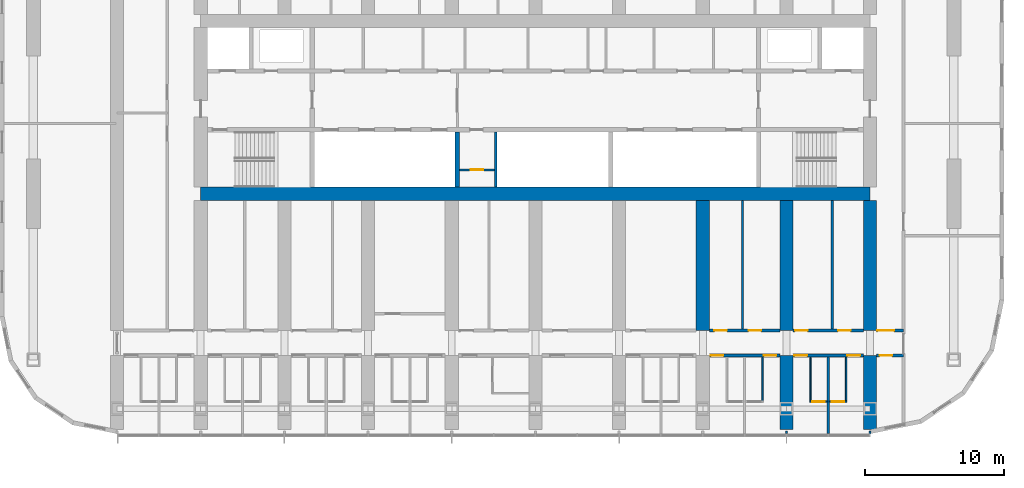
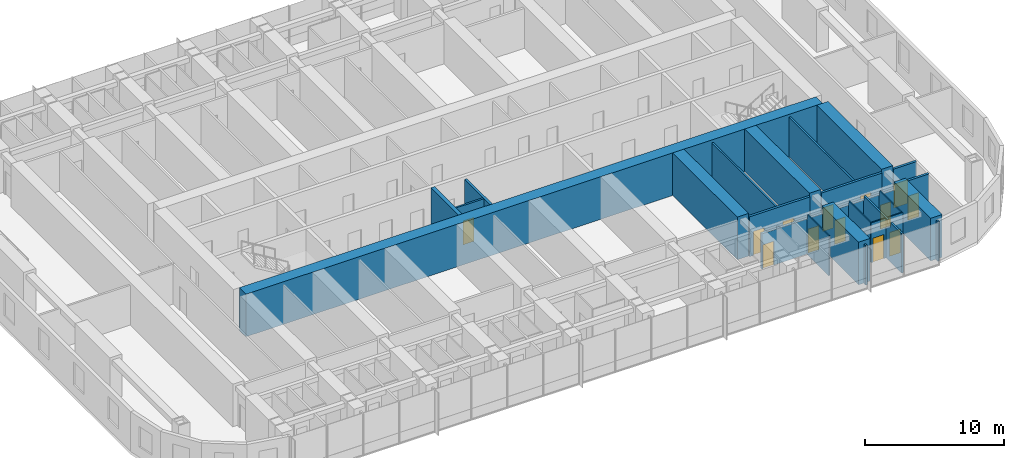
# One storey, part 11 of 22: 25 walls, 13 doors, 13 openings.
"""IFC4 building model written with IfcOpenShell, lengths in metres."""

from ifc_helpers import new_model, si_unit, direction, frame, frame_2d, origin, place, context, subcontext, project, spatial, polyline, rectangle, outline, extrude, material, layer, layer_set, type_object, element, fill, save


model = new_model("IFC4")

# Units and contexts
model_context = context("Model", 3, precision=1e-05, world=origin(), true_north=direction((0.0, 1.0)))
body_context = subcontext(model_context, "Body", "Model", "MODEL_VIEW")
ifc_project = project(units=[si_unit("LENGTHUNIT", "METRE"), si_unit("AREAUNIT", "SQUARE_METRE"), si_unit("VOLUMEUNIT", "CUBIC_METRE"), si_unit("PLANEANGLEUNIT", "RADIAN"), si_unit("MASSUNIT", "GRAM", prefix="KILO")], contexts=[model_context])

# Site, building, storey
site_placement = place(None, origin())
site = spatial("IfcSite", under=ifc_project, at=site_placement, CompositionType="ELEMENT")
building_placement = place(site_placement, origin())
building = spatial("IfcBuilding", under=site, at=building_placement, Name="Orbita Commons", CompositionType="ELEMENT")
storey_placement = place(building_placement, frame((0.0, 0.0, 118.14990234375)))
storey = spatial("IfcBuildingStorey", under=building, at=storey_placement, Name="L29", CompositionType="ELEMENT", Elevation=118.14990234375)

# Wall
ifc_material_1 = material(Name="Concrete C50/60", Category="concrete")
ifc_layer_1 = layer(ifc_material_1, 0.300048828125)
ifc_layer_set_1 = layer_set([ifc_layer_1], Name="Concrete C50/60")
wall_type_1 = type_object("IfcWallType", Name="Core inner wall 300 C50/60", PredefinedType="SHEAR", material=ifc_layer_set_1)
wall_1_placement = place(storey_placement, frame((36.39990234375, 26.27490234375, 0.0), z_axis=(0.0, 0.0, 1.0), x_axis=(0.0, 1.0, 0.0)))
element("IfcWall", 1, at=wall_1_placement, inside=storey, type_object=wall_type_1, Name="Hoistway division wall L29", PredefinedType="SHEAR", context=body_context, shape_type="SweptSolid", body=[
    extrude(rectangle(XDim=3.97509765625, YDim=0.300048828125, at=frame_2d((1.987548828125, 0.0))), origin(), (0.0, 0.0, 1.0), 3.75),
])

# Wall, opening, door
ifc_material_2 = material(Name="Concrete blockwork", Category="masonry")
ifc_layer_2 = layer(ifc_material_2, 0.14990234375)
ifc_layer_set_2 = layer_set([ifc_layer_2], Name="Concrete blockwork")
wall_type_2 = type_object("IfcWallType", Name="Core partition 150 blockwork", PredefinedType="SOLIDWALL", material=ifc_layer_set_2)
wall_2_placement = place(storey_placement, frame((36.550048828125, 27.52490234375, 0.0), z_axis=(0.0, 0.0, 1.0), x_axis=(1.0, 0.0, 0.0)))
wall_2 = element("IfcWall", 2, at=wall_2_placement, inside=storey, type_object=wall_type_2, Name="Core partition 150 blockwork L29", PredefinedType="SOLIDWALL", context=body_context, shape_type="SweptSolid", body=[
    extrude(rectangle(XDim=2.5, YDim=0.14990234375, at=frame_2d((1.25, 0.0))), origin(), (0.0, 0.0, 1.0), 3.5),
])
opening_1_placement = place(wall_2_placement, frame((0.800048828125, 0.0, 0.0)))
opening_1 = element("IfcOpeningElement", 3, at=opening_1_placement, cuts=wall_2, Name="Opening D05", PredefinedType="OPENING", context=body_context, shape_type="SweptSolid", body=[
    extrude(rectangle(XDim=0.89990234375, YDim=2.10009765625, at=frame_2d((0.449951171875, 1.050048828125))), frame((0.0, 0.0849609375, 0.0), z_axis=(0.0, -1.0, 0.0), x_axis=(1.0, 0.0, 0.0)), (0.0, 0.0, 1.0), 0.169921875),
])
ifc_material_3 = material(Name="Steel-faced fire door leaf", Category="steel")
door_type_1 = type_object("IfcDoorType", Name="Service door 20 min 900x2100", OperationType="SINGLE_SWING_LEFT", PredefinedType="DOOR", material=ifc_material_3)
door_1_placement = place(opening_1_placement, origin())
door_1 = element("IfcDoor", 4, at=door_1_placement, inside=storey, type_object=door_type_1, Name="Cupboard door off Equipment store", OperationType="SINGLE_SWING_LEFT", OverallHeight=2.10009765625, OverallWidth=0.89990234375, PredefinedType="DOOR", context=body_context, shape_type="SweptSolid", body=[
    extrude(rectangle(XDim=0.89990234375, YDim=2.10009765625, at=frame_2d((0.449951171875, 1.050048828125))), frame((0.0, 0.02490234375, 0.0), z_axis=(0.0, -1.0, 0.0), x_axis=(1.0, 0.0, 0.0)), (0.0, 0.0, 1.0), 0.050048828125),
])
fill(opening_1, door_1)

# Wall
ifc_material_4 = material(Name="Concrete C50/60", Category="concrete")
ifc_layer_3 = layer(ifc_material_4, 0.949951171875)
ifc_layer_set_3 = layer_set([ifc_layer_3], Name="Concrete C50/60")
wall_type_3 = type_object("IfcWallType", Name="Core wall 950 C50/60", PredefinedType="SHEAR", material=ifc_layer_set_3)
wall_3_placement = place(storey_placement, frame((18.0, 25.800048828125, 0.0), z_axis=(0.0, 0.0, 1.0), x_axis=(1.0, 0.0, 0.0)))
element("IfcWall", 5, at=wall_3_placement, inside=storey, type_object=wall_type_3, Name="Core spine wall south L29", PredefinedType="SHEAR", context=body_context, shape_type="SweptSolid", body=[
    extrude(rectangle(XDim=48.0, YDim=0.949951171875, at=frame_2d((24.0, 0.0))), origin(), (0.0, 0.0, 1.0), 3.75),
])

# Wall, openings, doors
ifc_material_5 = material(Name="Concrete blockwork", Category="masonry")
ifc_layer_4 = layer(ifc_material_5, 0.199951171875)
ifc_layer_set_4 = layer_set([ifc_layer_4], Name="Concrete blockwork")
wall_type_4 = type_object("IfcWallType", Name="Corridor wall 200 blockwork", PredefinedType="SOLIDWALL", material=ifc_layer_set_4)
wall_4_placement = place(storey_placement, frame((54.47509765625, 14.199951171875, 0.0), z_axis=(0.0, 0.0, 1.0), x_axis=(1.0, 0.0, 0.0)))
wall_4 = element("IfcWall", 6, at=wall_4_placement, inside=storey, type_object=wall_type_4, Name="Corridor wall 200 blockwork L29", PredefinedType="SOLIDWALL", context=body_context, shape_type="SweptSolid", body=[
    extrude(outline(polyline([(0.0, 0.0), (5.0498046875, 0.0), (5.050048828125, 3.10009765625), (0.0, 3.10009765625), (0.0, 0.0)])), frame((0.0, 0.10009765625, 0.0), z_axis=(0.0, -1.0, 0.0), x_axis=(1.0, 0.0, 0.0)), (0.0, 0.0, 1.0), 0.199951171875),
])
opening_2_placement = place(wall_4_placement, frame((0.10009765625, 0.0, 0.0)))
opening_2 = element("IfcOpeningElement", 7, at=opening_2_placement, cuts=wall_4, Name="Opening D11", PredefinedType="OPENING", context=body_context, shape_type="SweptSolid", body=[
    extrude(rectangle(XDim=0.89990234375, YDim=2.10009765625, at=frame_2d((0.449951171875, 1.050048828125))), frame((0.0, 0.10986328125, 0.0), z_axis=(0.0, -1.0, 0.0), x_axis=(1.0, 0.0, 0.0)), (0.0, 0.0, 1.0), 0.219970703125),
])
opening_3_placement = place(wall_4_placement, frame((3.89990234375, 0.0, 0.0)))
opening_3 = element("IfcOpeningElement", 8, at=opening_3_placement, cuts=wall_4, Name="Opening D11", PredefinedType="OPENING", context=body_context, shape_type="SweptSolid", body=[
    extrude(rectangle(XDim=0.89990234375, YDim=2.10009765625, at=frame_2d((0.449951171875, 1.050048828125))), frame((0.0, 0.10986328125, 0.0), z_axis=(0.0, -1.0, 0.0), x_axis=(1.0, 0.0, 0.0)), (0.0, 0.0, 1.0), 0.219970703125),
])
ifc_material_6 = material(Name="Steel-faced fire door leaf", Category="steel")
door_type_2 = type_object("IfcDoorType", Name="Corridor door 20 min 900x2100", OperationType="SINGLE_SWING_LEFT", PredefinedType="DOOR", material=ifc_material_6)
door_2_placement = place(opening_2_placement, origin())
door_2 = element("IfcDoor", 9, at=door_2_placement, inside=storey, type_object=door_type_2, Name="Cluster bedroom L29-S14 door", OperationType="SINGLE_SWING_LEFT", OverallHeight=2.10009765625, OverallWidth=0.89990234375, PredefinedType="DOOR", context=body_context, shape_type="SweptSolid", body=[
    extrude(rectangle(XDim=0.89990234375, YDim=2.10009765625, at=frame_2d((0.449951171875, 1.050048828125))), frame((0.0, 0.02490234375, 0.0), z_axis=(0.0, -1.0, 0.0), x_axis=(1.0, 0.0, 0.0)), (0.0, 0.0, 1.0), 0.050048828125),
])
fill(opening_2, door_2)
door_3_placement = place(opening_3_placement, origin())
door_3 = element("IfcDoor", 10, at=door_3_placement, inside=storey, type_object=door_type_2, Name="Cluster bedroom L29-S15 door", OperationType="SINGLE_SWING_LEFT", OverallHeight=2.10009765625, OverallWidth=0.89990234375, PredefinedType="DOOR", context=body_context, shape_type="SweptSolid", body=[
    extrude(rectangle(XDim=0.89990234375, YDim=2.10009765625, at=frame_2d((0.449951171875, 1.050048828125))), frame((0.0, 0.02490234375, 0.0), z_axis=(0.0, -1.0, 0.0), x_axis=(1.0, 0.0, 0.0)), (0.0, 0.0, 1.0), 0.050048828125),
])
fill(opening_3, door_3)

wall_5_placement = place(storey_placement, frame((60.47509765625, 14.199951171875, 0.0), z_axis=(0.0, 0.0, 1.0), x_axis=(1.0, 0.0, 0.0)))
wall_5 = element("IfcWall", 11, at=wall_5_placement, inside=storey, type_object=wall_type_4, Name="Corridor wall 200 blockwork L29", PredefinedType="SOLIDWALL", context=body_context, shape_type="SweptSolid", body=[
    extrude(outline(polyline([(0.0, 0.0), (5.0498046875, 0.0), (5.050048828125, 3.10009765625), (0.0, 3.10009765625), (0.0, 0.0)])), frame((0.0, 0.10009765625, 0.0), z_axis=(0.0, -1.0, 0.0), x_axis=(1.0, 0.0, 0.0)), (0.0, 0.0, 1.0), 0.199951171875),
])
opening_4_placement = place(wall_5_placement, frame((0.10009765625, 0.0, 0.0)))
opening_4 = element("IfcOpeningElement", 12, at=opening_4_placement, cuts=wall_5, Name="Opening D11", PredefinedType="OPENING", context=body_context, shape_type="SweptSolid", body=[
    extrude(rectangle(XDim=0.89990234375, YDim=2.10009765625, at=frame_2d((0.449951171875, 1.050048828125))), frame((0.0, 0.10986328125, 0.0), z_axis=(0.0, -1.0, 0.0), x_axis=(1.0, 0.0, 0.0)), (0.0, 0.0, 1.0), 0.219970703125),
])
opening_5_placement = place(wall_5_placement, frame((3.89990234375, 0.0, 0.0)))
opening_5 = element("IfcOpeningElement", 13, at=opening_5_placement, cuts=wall_5, Name="Opening D11", PredefinedType="OPENING", context=body_context, shape_type="SweptSolid", body=[
    extrude(rectangle(XDim=0.89990234375, YDim=2.10009765625, at=frame_2d((0.449951171875, 1.050048828125))), frame((0.0, 0.10986328125, 0.0), z_axis=(0.0, -1.0, 0.0), x_axis=(1.0, 0.0, 0.0)), (0.0, 0.0, 1.0), 0.219970703125),
])
door_4_placement = place(opening_4_placement, origin())
door_4 = element("IfcDoor", 14, at=door_4_placement, inside=storey, type_object=door_type_2, Name="Cluster bedroom L29-S16 door", OperationType="SINGLE_SWING_LEFT", OverallHeight=2.10009765625, OverallWidth=0.89990234375, PredefinedType="DOOR", context=body_context, shape_type="SweptSolid", body=[
    extrude(rectangle(XDim=0.89990234375, YDim=2.10009765625, at=frame_2d((0.449951171875, 1.050048828125))), frame((0.0, 0.02490234375, 0.0), z_axis=(0.0, -1.0, 0.0), x_axis=(1.0, 0.0, 0.0)), (0.0, 0.0, 1.0), 0.050048828125),
])
fill(opening_4, door_4)
door_5_placement = place(opening_5_placement, origin())
door_5 = element("IfcDoor", 15, at=door_5_placement, inside=storey, type_object=door_type_2, Name="Cluster bedroom L29-S17 door", OperationType="SINGLE_SWING_LEFT", OverallHeight=2.10009765625, OverallWidth=0.89990234375, PredefinedType="DOOR", context=body_context, shape_type="SweptSolid", body=[
    extrude(rectangle(XDim=0.89990234375, YDim=2.10009765625, at=frame_2d((0.449951171875, 1.050048828125))), frame((0.0, 0.02490234375, 0.0), z_axis=(0.0, -1.0, 0.0), x_axis=(1.0, 0.0, 0.0)), (0.0, 0.0, 1.0), 0.050048828125),
])
fill(opening_5, door_5)

# Wall, opening, door
wall_6_placement = place(storey_placement, frame((66.47509765625, 14.199951171875, 0.0), z_axis=(0.0, 0.0, 1.0), x_axis=(1.0, 0.0, 0.0)))
wall_6 = element("IfcWall", 16, at=wall_6_placement, inside=storey, type_object=wall_type_4, Name="Corridor wall 200 blockwork L29", PredefinedType="SOLIDWALL", context=body_context, shape_type="SweptSolid", body=[
    extrude(rectangle(XDim=1.9248046875, YDim=0.199951171875, at=frame_2d((0.96240234375, 0.0))), origin(), (0.0, 0.0, 1.0), 3.5),
])
opening_6_placement = place(wall_6_placement, frame((0.199951171875, 0.0, 0.0)))
opening_6 = element("IfcOpeningElement", 17, at=opening_6_placement, cuts=wall_6, Name="Opening D05", PredefinedType="OPENING", context=body_context, shape_type="SweptSolid", body=[
    extrude(rectangle(XDim=0.89990234375, YDim=2.10009765625, at=frame_2d((0.449951171875, 1.050048828125))), frame((0.0, 0.10986328125, 0.0), z_axis=(0.0, -1.0, 0.0), x_axis=(1.0, 0.0, 0.0)), (0.0, 0.0, 1.0), 0.219970703125),
])
door_6_placement = place(opening_6_placement, origin())
door_6 = element("IfcDoor", 18, at=door_6_placement, inside=storey, type_object=door_type_1, Name="Linen store L29-KES door", OperationType="SINGLE_SWING_LEFT", OverallHeight=2.10009765625, OverallWidth=0.89990234375, PredefinedType="DOOR", context=body_context, shape_type="SweptSolid", body=[
    extrude(rectangle(XDim=0.89990234375, YDim=2.10009765625, at=frame_2d((0.449951171875, 1.050048828125))), frame((0.0, 0.02490234375, 0.0), z_axis=(0.0, -1.0, 0.0), x_axis=(1.0, 0.0, 0.0)), (0.0, 0.0, 1.0), 0.050048828125),
])
fill(opening_6, door_6)

# Wall, openings, doors
ifc_material_7 = material(Name="Hollow concrete block 200", Category="concrete")
ifc_layer_5 = layer(ifc_material_7, 0.199951171875)
ifc_layer_set_5 = layer_set([ifc_layer_5], Name="Hollow concrete block 200")
wall_type_5 = type_object("IfcWallType", Name="Corridor wall 200 hollow concrete block", PredefinedType="SOLIDWALL", material=ifc_layer_set_5)
wall_7_placement = place(storey_placement, frame((54.47509765625, 16.0, 0.0), z_axis=(0.0, 0.0, 1.0), x_axis=(1.0, 0.0, 0.0)))
wall_7 = element("IfcWall", 19, at=wall_7_placement, inside=storey, type_object=wall_type_5, Name="Corridor wall 200 hollow concrete block L29", PredefinedType="SOLIDWALL", context=body_context, shape_type="SweptSolid", body=[
    extrude(rectangle(XDim=5.0498046875, YDim=0.199951171875, at=frame_2d((2.52490234375, 0.0))), origin(), (0.0, 0.0, 1.0), 3.5),
])
opening_7_placement = place(wall_7_placement, frame((0.35009765625, 0.0, 0.0)))
opening_7 = element("IfcOpeningElement", 20, at=opening_7_placement, cuts=wall_7, Name="Opening D11", PredefinedType="OPENING", context=body_context, shape_type="SweptSolid", body=[
    extrude(rectangle(XDim=0.89990234375, YDim=2.10009765625, at=frame_2d((0.449951171875, 1.050048828125))), frame((0.0, 0.10986328125, 0.0), z_axis=(0.0, -1.0, 0.0), x_axis=(1.0, 0.0, 0.0)), (0.0, 0.0, 1.0), 0.219970703125),
])
opening_8_placement = place(wall_7_placement, frame((2.804931640625, 0.0, 0.0)))
opening_8 = element("IfcOpeningElement", 21, at=opening_8_placement, cuts=wall_7, Name="Opening D11", PredefinedType="OPENING", context=body_context, shape_type="SweptSolid", body=[
    extrude(rectangle(XDim=0.89990234375, YDim=2.10009765625, at=frame_2d((0.449951171875, 1.050048828125))), frame((0.0, 0.10986328125, 0.0), z_axis=(0.0, -1.0, 0.0), x_axis=(1.0, 0.0, 0.0)), (0.0, 0.0, 1.0), 0.219970703125),
])
door_7_placement = place(opening_7_placement, origin())
door_7 = element("IfcDoor", 22, at=door_7_placement, inside=storey, type_object=door_type_2, Name="Sprinkler valve room L29-BDS54n door", OperationType="SINGLE_SWING_LEFT", OverallHeight=2.10009765625, OverallWidth=0.89990234375, PredefinedType="DOOR", context=body_context, shape_type="SweptSolid", body=[
    extrude(rectangle(XDim=0.89990234375, YDim=2.10009765625, at=frame_2d((0.449951171875, 1.050048828125))), frame((0.0, 0.02490234375, 0.0), z_axis=(0.0, -1.0, 0.0), x_axis=(1.0, 0.0, 0.0)), (0.0, 0.0, 1.0), 0.050048828125),
])
fill(opening_7, door_7)
door_8_placement = place(opening_8_placement, origin())
door_8 = element("IfcDoor", 23, at=door_8_placement, inside=storey, type_object=door_type_2, Name="Ventilation plant room south L29-BDS54 door", OperationType="SINGLE_SWING_LEFT", OverallHeight=2.10009765625, OverallWidth=0.89990234375, PredefinedType="DOOR", context=body_context, shape_type="SweptSolid", body=[
    extrude(rectangle(XDim=0.89990234375, YDim=2.10009765625, at=frame_2d((0.449951171875, 1.050048828125))), frame((0.0, 0.02490234375, 0.0), z_axis=(0.0, -1.0, 0.0), x_axis=(1.0, 0.0, 0.0)), (0.0, 0.0, 1.0), 0.050048828125),
])
fill(opening_8, door_8)

wall_8_placement = place(storey_placement, frame((60.47509765625, 16.0, 0.0), z_axis=(0.0, 0.0, 1.0), x_axis=(1.0, 0.0, 0.0)))
wall_8 = element("IfcWall", 24, at=wall_8_placement, inside=storey, type_object=wall_type_5, Name="Corridor wall 200 hollow concrete block L29", PredefinedType="SOLIDWALL", context=body_context, shape_type="SweptSolid", body=[
    extrude(rectangle(XDim=5.0498046875, YDim=0.199951171875, at=frame_2d((2.52490234375, 0.0))), origin(), (0.0, 0.0, 1.0), 3.5),
])
opening_9_placement = place(wall_8_placement, frame((0.14990234375, 0.0, 0.0)))
opening_9 = element("IfcOpeningElement", 25, at=opening_9_placement, cuts=wall_8, Name="Opening D11", PredefinedType="OPENING", context=body_context, shape_type="SweptSolid", body=[
    extrude(rectangle(XDim=0.89990234375, YDim=2.10009765625, at=frame_2d((0.449951171875, 1.050048828125))), frame((0.0, 0.10986328125, 0.0), z_axis=(0.0, -1.0, 0.0), x_axis=(1.0, 0.0, 0.0)), (0.0, 0.0, 1.0), 0.219970703125),
])
opening_10_placement = place(wall_8_placement, frame((3.235107421875, 0.0, 0.0)))
opening_10 = element("IfcOpeningElement", 26, at=opening_10_placement, cuts=wall_8, Name="Opening D11", PredefinedType="OPENING", context=body_context, shape_type="SweptSolid", body=[
    extrude(rectangle(XDim=0.89990234375, YDim=2.10009765625, at=frame_2d((0.449951171875, 1.050048828125))), frame((0.0, 0.10986328125, 0.0), z_axis=(0.0, -1.0, 0.0), x_axis=(1.0, 0.0, 0.0)), (0.0, 0.0, 1.0), 0.219970703125),
])
door_9_placement = place(opening_9_placement, origin())
door_9 = element("IfcDoor", 27, at=door_9_placement, inside=storey, type_object=door_type_2, Name="Cluster pantry L29-BDS60 door", OperationType="SINGLE_SWING_LEFT", OverallHeight=2.10009765625, OverallWidth=0.89990234375, PredefinedType="DOOR", context=body_context, shape_type="SweptSolid", body=[
    extrude(rectangle(XDim=0.89990234375, YDim=2.10009765625, at=frame_2d((0.449951171875, 1.050048828125))), frame((0.0, 0.02490234375, 0.0), z_axis=(0.0, -1.0, 0.0), x_axis=(1.0, 0.0, 0.0)), (0.0, 0.0, 1.0), 0.050048828125),
])
fill(opening_9, door_9)
door_10_placement = place(opening_10_placement, origin())
door_10 = element("IfcDoor", 28, at=door_10_placement, inside=storey, type_object=door_type_2, Name="Water heater cupboard L29-BDS60n door", OperationType="SINGLE_SWING_LEFT", OverallHeight=2.10009765625, OverallWidth=0.89990234375, PredefinedType="DOOR", context=body_context, shape_type="SweptSolid", body=[
    extrude(rectangle(XDim=0.89990234375, YDim=2.10009765625, at=frame_2d((0.449951171875, 1.050048828125))), frame((0.0, 0.02490234375, 0.0), z_axis=(0.0, -1.0, 0.0), x_axis=(1.0, 0.0, 0.0)), (0.0, 0.0, 1.0), 0.050048828125),
])
fill(opening_10, door_10)

# Wall, opening, door
wall_9_placement = place(storey_placement, frame((66.47509765625, 16.0, 0.0), z_axis=(0.0, 0.0, 1.0), x_axis=(1.0, 0.0, 0.0)))
wall_9 = element("IfcWall", 29, at=wall_9_placement, inside=storey, type_object=wall_type_5, Name="Corridor wall 200 hollow concrete block L29", PredefinedType="SOLIDWALL", context=body_context, shape_type="SweptSolid", body=[
    extrude(rectangle(XDim=1.9248046875, YDim=0.199951171875, at=frame_2d((0.96240234375, 0.0))), origin(), (0.0, 0.0, 1.0), 3.5),
])
opening_11_placement = place(wall_9_placement, frame((0.050048828125, 0.0, 0.0)))
opening_11 = element("IfcOpeningElement", 30, at=opening_11_placement, cuts=wall_9, Name="Opening D12", PredefinedType="OPENING", context=body_context, shape_type="SweptSolid", body=[
    extrude(rectangle(XDim=1.199951171875, YDim=2.10009765625, at=frame_2d((0.60009765625, 1.050048828125))), frame((0.0, 0.10986328125, 0.0), z_axis=(0.0, -1.0, 0.0), x_axis=(1.0, 0.0, 0.0)), (0.0, 0.0, 1.0), 0.219970703125),
])
ifc_material_8 = material(Name="Steel-faced fire door leaf", Category="steel")
door_type_3 = type_object("IfcDoorType", Name="Double corridor door 20 min 1200x2100", OperationType="DOUBLE_DOOR_SINGLE_SWING", PredefinedType="DOOR", material=ifc_material_8)
door_11_placement = place(opening_11_placement, origin())
door_11 = element("IfcDoor", 31, at=door_11_placement, inside=storey, type_object=door_type_3, Name="Cross corridor doors", OperationType="DOUBLE_DOOR_SINGLE_SWING", OverallHeight=2.10009765625, OverallWidth=1.199951171875, PredefinedType="DOOR", context=body_context, shape_type="SweptSolid", body=[
    extrude(rectangle(XDim=1.199951171875, YDim=2.10009765625, at=frame_2d((0.60009765625, 1.050048828125))), frame((0.0, 0.02490234375, 0.0), z_axis=(0.0, -1.0, 0.0), x_axis=(1.0, 0.0, 0.0)), (0.0, 0.0, 1.0), 0.050048828125),
])
fill(opening_11, door_11)

# Walls
ifc_material_9 = material(Name="Concrete C50/60", Category="concrete")
ifc_layer_6 = layer(ifc_material_9, 0.949951171875)
ifc_layer_set_6 = layer_set([ifc_layer_6], Name="Concrete C50/60")
wall_type_6 = type_object("IfcWallType", Name="Cross wall 950 C50/60", PredefinedType="SHEAR", material=ifc_layer_set_6)
wall_10_placement = place(storey_placement, frame((54.0, 16.0, 0.0), z_axis=(0.0, 0.0, 1.0), x_axis=(0.0, 1.0, 0.0)))
element("IfcWall", 32, at=wall_10_placement, inside=storey, type_object=wall_type_6, Name="Cross wall 10 south inner L29", PredefinedType="SHEAR", context=body_context, shape_type="SweptSolid", body=[
    extrude(rectangle(XDim=9.324951171875, YDim=0.949951171875, at=frame_2d((4.66259765625, 0.0))), origin(), (0.0, 0.0, 1.0), 3.75),
])
wall_11_placement = place(storey_placement, frame((60.0, 8.89990234375, 0.0), z_axis=(0.0, 0.0, 1.0), x_axis=(0.0, 1.0, 0.0)))
element("IfcWall", 33, at=wall_11_placement, inside=storey, type_object=wall_type_6, Name="Cross wall 11 south outer L29", PredefinedType="SHEAR", context=body_context, shape_type="SweptSolid", body=[
    extrude(rectangle(XDim=5.300048828125, YDim=0.949951171875, at=frame_2d((2.64990234375, 0.0))), origin(), (0.0, 0.0, 1.0), 3.75),
])
wall_12_placement = place(storey_placement, frame((60.0, 16.0, 0.0), z_axis=(0.0, 0.0, 1.0), x_axis=(0.0, 1.0, 0.0)))
element("IfcWall", 34, at=wall_12_placement, inside=storey, type_object=wall_type_6, Name="Cross wall 11 south inner L29", PredefinedType="SHEAR", context=body_context, shape_type="SweptSolid", body=[
    extrude(rectangle(XDim=9.324951171875, YDim=0.949951171875, at=frame_2d((4.66259765625, 0.0))), origin(), (0.0, 0.0, 1.0), 3.75),
])
wall_13_placement = place(storey_placement, frame((66.0, 8.89990234375, 0.0), z_axis=(0.0, 0.0, 1.0), x_axis=(0.0, 1.0, 0.0)))
element("IfcWall", 35, at=wall_13_placement, inside=storey, type_object=wall_type_6, Name="Cross wall 12 south outer L29", PredefinedType="SHEAR", context=body_context, shape_type="SweptSolid", body=[
    extrude(rectangle(XDim=5.300048828125, YDim=0.949951171875, at=frame_2d((2.64990234375, 0.0))), origin(), (0.0, 0.0, 1.0), 3.75),
])
wall_14_placement = place(storey_placement, frame((66.0, 16.0, 0.0), z_axis=(0.0, 0.0, 1.0), x_axis=(0.0, 1.0, 0.0)))
element("IfcWall", 36, at=wall_14_placement, inside=storey, type_object=wall_type_6, Name="Cross wall 12 south inner L29", PredefinedType="SHEAR", context=body_context, shape_type="SweptSolid", body=[
    extrude(rectangle(XDim=9.324951171875, YDim=0.949951171875, at=frame_2d((4.66259765625, 0.0))), origin(), (0.0, 0.0, 1.0), 3.75),
])
ifc_material_10 = material(Name="Moisture-resistant plasterboard on steel studs", Category="steel")
ifc_layer_7 = layer(ifc_material_10, 0.10009765625)
ifc_layer_set_7 = layer_set([ifc_layer_7], Name="Moisture-resistant plasterboard on steel studs")
wall_type_7 = type_object("IfcWallType", Name="En-suite partition 100", PredefinedType="PARTITIONING", material=ifc_layer_set_7)
wall_15_placement = place(storey_placement, frame((58.27490234375, 10.949951171875, 0.0), z_axis=(0.0, 0.0, 1.0), x_axis=(0.0, 1.0, 0.0)))
element("IfcWall", 37, at=wall_15_placement, inside=storey, type_object=wall_type_7, Name="En-suite partition 100 L29", PredefinedType="PARTITIONING", context=body_context, shape_type="SweptSolid", body=[
    extrude(outline(polyline([(0.0, 0.0), (3.150146484375, 0.0), (3.14990234375, 3.10009765625), (3.10205078125, 3.10009765625), (3.10009765625, 3.5), (0.0, 3.5), (0.0, 0.0)])), frame((0.0, 0.050048828125, 0.0), z_axis=(0.0, -1.0, 0.0), x_axis=(1.0, 0.0, 0.0)), (0.0, 0.0, 1.0), 0.10009765625),
])

# Wall, opening, door
wall_16_placement = place(storey_placement, frame((62.925048828125, 10.89990234375, 0.0), z_axis=(0.0, 0.0, 1.0), x_axis=(-1.0, 0.0, 0.0)))
wall_16 = element("IfcWall", 38, at=wall_16_placement, inside=storey, type_object=wall_type_7, Name="En-suite partition 100 L29", PredefinedType="PARTITIONING", context=body_context, shape_type="SweptSolid", body=[
    extrude(rectangle(XDim=1.25, YDim=0.10009765625, at=frame_2d((0.625, 0.0))), origin(), (0.0, 0.0, 1.0), 3.5),
])
opening_12_placement = place(wall_16_placement, frame((0.175048828125, 0.0, 0.0)))
opening_12 = element("IfcOpeningElement", 39, at=opening_12_placement, cuts=wall_16, Name="Opening D09", PredefinedType="OPENING", context=body_context, shape_type="SweptSolid", body=[
    extrude(rectangle(XDim=0.89990234375, YDim=2.10009765625, at=frame_2d((0.449951171875, 1.050048828125))), frame((0.0, 0.06005859375, 0.0), z_axis=(0.0, -1.0, 0.0), x_axis=(1.0, 0.0, 0.0)), (0.0, 0.0, 1.0), 0.1201171875),
])
ifc_material_11 = material(Name="Laminated timber door leaf", Category="wood")
door_type_4 = type_object("IfcDoorType", Name="En-suite door 900x2100", OperationType="SINGLE_SWING_RIGHT", PredefinedType="DOOR", material=ifc_material_11)
door_12_placement = place(opening_12_placement, origin())
door_12 = element("IfcDoor", 40, at=door_12_placement, inside=storey, type_object=door_type_4, Name="En-suite L29-S16 door", OperationType="SINGLE_SWING_RIGHT", OverallHeight=2.10009765625, OverallWidth=0.89990234375, PredefinedType="DOOR", context=body_context, shape_type="SweptSolid", body=[
    extrude(rectangle(XDim=0.89990234375, YDim=2.10009765625, at=frame_2d((0.449951171875, 1.050048828125))), frame((0.0, 0.02490234375, 0.0), z_axis=(0.0, -1.0, 0.0), x_axis=(1.0, 0.0, 0.0)), (0.0, 0.0, 1.0), 0.050048828125),
])
fill(opening_12, door_12)

# Wall
wall_17_placement = place(storey_placement, frame((61.72509765625, 10.949951171875, 0.0), z_axis=(0.0, 0.0, 1.0), x_axis=(0.0, 1.0, 0.0)))
element("IfcWall", 41, at=wall_17_placement, inside=storey, type_object=wall_type_7, Name="En-suite partition 100 L29", PredefinedType="PARTITIONING", context=body_context, shape_type="SweptSolid", body=[
    extrude(outline(polyline([(0.0, 0.0), (3.150146484375, 0.0), (3.14990234375, 3.10009765625), (3.10205078125, 3.10009765625), (3.10009765625, 3.5), (0.0, 3.5), (0.0, 0.0)])), frame((0.0, 0.050048828125, 0.0), z_axis=(0.0, -1.0, 0.0), x_axis=(1.0, 0.0, 0.0)), (0.0, 0.0, 1.0), 0.10009765625),
])

# Wall, opening, door
wall_18_placement = place(storey_placement, frame((64.324951171875, 10.89990234375, 0.0), z_axis=(0.0, 0.0, 1.0), x_axis=(-1.0, 0.0, 0.0)))
wall_18 = element("IfcWall", 42, at=wall_18_placement, inside=storey, type_object=wall_type_7, Name="En-suite partition 100 L29", PredefinedType="PARTITIONING", context=body_context, shape_type="SweptSolid", body=[
    extrude(rectangle(XDim=1.25, YDim=0.10009765625, at=frame_2d((0.625, 0.0))), origin(), (0.0, 0.0, 1.0), 3.5),
])
opening_13_placement = place(wall_18_placement, frame((0.175048828125, 0.0, 0.0)))
opening_13 = element("IfcOpeningElement", 43, at=opening_13_placement, cuts=wall_18, Name="Opening D09", PredefinedType="OPENING", context=body_context, shape_type="SweptSolid", body=[
    extrude(rectangle(XDim=0.89990234375, YDim=2.10009765625, at=frame_2d((0.449951171875, 1.050048828125))), frame((0.0, 0.06005859375, 0.0), z_axis=(0.0, -1.0, 0.0), x_axis=(1.0, 0.0, 0.0)), (0.0, 0.0, 1.0), 0.1201171875),
])
door_13_placement = place(opening_13_placement, origin())
door_13 = element("IfcDoor", 44, at=door_13_placement, inside=storey, type_object=door_type_4, Name="En-suite L29-S17 door", OperationType="SINGLE_SWING_RIGHT", OverallHeight=2.10009765625, OverallWidth=0.89990234375, PredefinedType="DOOR", context=body_context, shape_type="SweptSolid", body=[
    extrude(rectangle(XDim=0.89990234375, YDim=2.10009765625, at=frame_2d((0.449951171875, 1.050048828125))), frame((0.0, 0.02490234375, 0.0), z_axis=(0.0, -1.0, 0.0), x_axis=(1.0, 0.0, 0.0)), (0.0, 0.0, 1.0), 0.050048828125),
])
fill(opening_13, door_13)

# Walls
wall_19_placement = place(storey_placement, frame((64.27490234375, 10.949951171875, 0.0), z_axis=(0.0, 0.0, 1.0), x_axis=(0.0, 1.0, 0.0)))
element("IfcWall", 45, at=wall_19_placement, inside=storey, type_object=wall_type_7, Name="En-suite partition 100 L29", PredefinedType="PARTITIONING", context=body_context, shape_type="SweptSolid", body=[
    extrude(outline(polyline([(0.0, 0.0), (3.150146484375, 0.0), (3.14990234375, 3.10009765625), (3.10205078125, 3.10009765625), (3.10009765625, 3.5), (0.0, 3.5), (0.0, 0.0)])), frame((0.0, 0.050048828125, 0.0), z_axis=(0.0, -1.0, 0.0), x_axis=(1.0, 0.0, 0.0)), (0.0, 0.0, 1.0), 0.10009765625),
])
ifc_material_12 = material(Name="Gypsum plasterboard on steel studs", Category="steel")
ifc_layer_8 = layer(ifc_material_12, 0.14990234375)
ifc_layer_set_8 = layer_set([ifc_layer_8], Name="Gypsum plasterboard on steel studs")
wall_type_8 = type_object("IfcWallType", Name="Partition 150 plasterboard", PredefinedType="PARTITIONING", material=ifc_layer_set_8)
for number, where, z_axis, x_axis, name in (
    (46, (56.85498046875, 16.10009765625, 0.0), (0.0, 0.0, 1.0), (0.0, 1.0, 0.0), "Partition 150 plasterboard L29"),
    (47, (63.284912109375, 16.10009765625, 0.0), (0.0, 0.0, 1.0), (0.0, 1.0, 0.0), "Partition 150 plasterboard L29"),
):
    element("IfcWall", number, at=place(storey_placement, frame(where, z_axis=z_axis, x_axis=x_axis)), inside=storey, type_object=wall_type_8, Name=name, PredefinedType="PARTITIONING", context=body_context, shape_type="SweptSolid", body=[
        extrude(rectangle(XDim=9.224853515625, YDim=0.14990234375, at=frame_2d((4.6123046875, 0.0))), origin(), (0.0, 0.0, 1.0), 3.5),
    ])
wall_20_placement = place(storey_placement, frame((60.0, 8.800048828125, 0.0), z_axis=(0.0, 0.0, 1.0), x_axis=(0.0, -1.0, 0.0)))
element("IfcWall", 48, at=wall_20_placement, inside=storey, type_object=wall_type_8, Name="Partition 150 plasterboard L29", PredefinedType="PARTITIONING", context=body_context, shape_type="SweptSolid", body=[
    extrude(rectangle(XDim=0.18994140625, YDim=0.14990234375, at=frame_2d((0.094970703125, 0.0))), origin(), (0.0, 0.0, 1.0), 3.5),
])
wall_21_placement = place(storey_placement, frame((66.0, 8.800048828125, 0.0), z_axis=(0.0, 0.0, 1.0), x_axis=(0.0, -1.0, 0.0)))
element("IfcWall", 49, at=wall_21_placement, inside=storey, type_object=wall_type_8, Name="Partition 150 plasterboard L29", PredefinedType="PARTITIONING", context=body_context, shape_type="SweptSolid", body=[
    extrude(rectangle(XDim=0.219970703125, YDim=0.14990234375, at=frame_2d((0.10986328125, 0.0))), origin(), (0.0, 0.0, 1.0), 3.5),
])
ifc_material_13 = material(Name="Gypsum plasterboard on steel studs", Category="steel")
ifc_layer_9 = layer(ifc_material_13, 0.14990234375)
ifc_layer_set_9 = layer_set([ifc_layer_9], Name="Gypsum plasterboard on steel studs")
wall_type_9 = type_object("IfcWallType", Name="Party wall 150 plasterboard", PredefinedType="PARTITIONING", material=ifc_layer_set_9)
wall_22_placement = place(storey_placement, frame((63.0, 8.610107421875, 0.0), z_axis=(0.0, 0.0, 1.0), x_axis=(0.0, 1.0, 0.0)))
element("IfcWall", 50, at=wall_22_placement, inside=storey, type_object=wall_type_9, Name="Party wall 150 plasterboard L29", PredefinedType="PARTITIONING", context=body_context, shape_type="SweptSolid", body=[
    extrude(outline(polyline([(0.0, 0.0), (5.489990234375, 0.0), (5.489990234375, 3.10009765625), (5.44189453125, 3.10009765625), (5.43994140625, 3.5), (1.991943359375, 3.5), (1.989990234375, 3.10009765625), (1.592041015625, 3.10009765625), (1.590087890625, 3.5), (0.0, 3.5), (0.0, 0.0)])), frame((0.0, 0.074951171875, 0.0), z_axis=(0.0, -1.0, 0.0), x_axis=(1.0, 0.0, 0.0)), (0.0, 0.0, 1.0), 0.14990234375),
])
ifc_material_14 = material(Name="Concrete blockwork, fully filled", Category="masonry")
ifc_layer_10 = layer(ifc_material_14, 0.199951171875)
ifc_layer_set_10 = layer_set([ifc_layer_10], Name="Concrete blockwork, fully filled")
wall_type_10 = type_object("IfcWallType", Name="Shaft partition 200 blockwork", PredefinedType="SOLIDWALL", material=ifc_layer_set_10)
wall_23_placement = place(storey_placement, frame((39.14990234375, 26.27490234375, 0.0), z_axis=(0.0, 0.0, 1.0), x_axis=(0.0, 1.0, 0.0)))
element("IfcWall", 51, at=wall_23_placement, inside=storey, type_object=wall_type_10, Name="Shaft partition 200 blockwork L29", PredefinedType="SOLIDWALL", context=body_context, shape_type="SweptSolid", body=[
    extrude(rectangle(XDim=3.97509765625, YDim=0.199951171875, at=frame_2d((1.987548828125, 0.0))), origin(), (0.0, 0.0, 1.0), 3.5),
])

save(model, "model.ifc")
